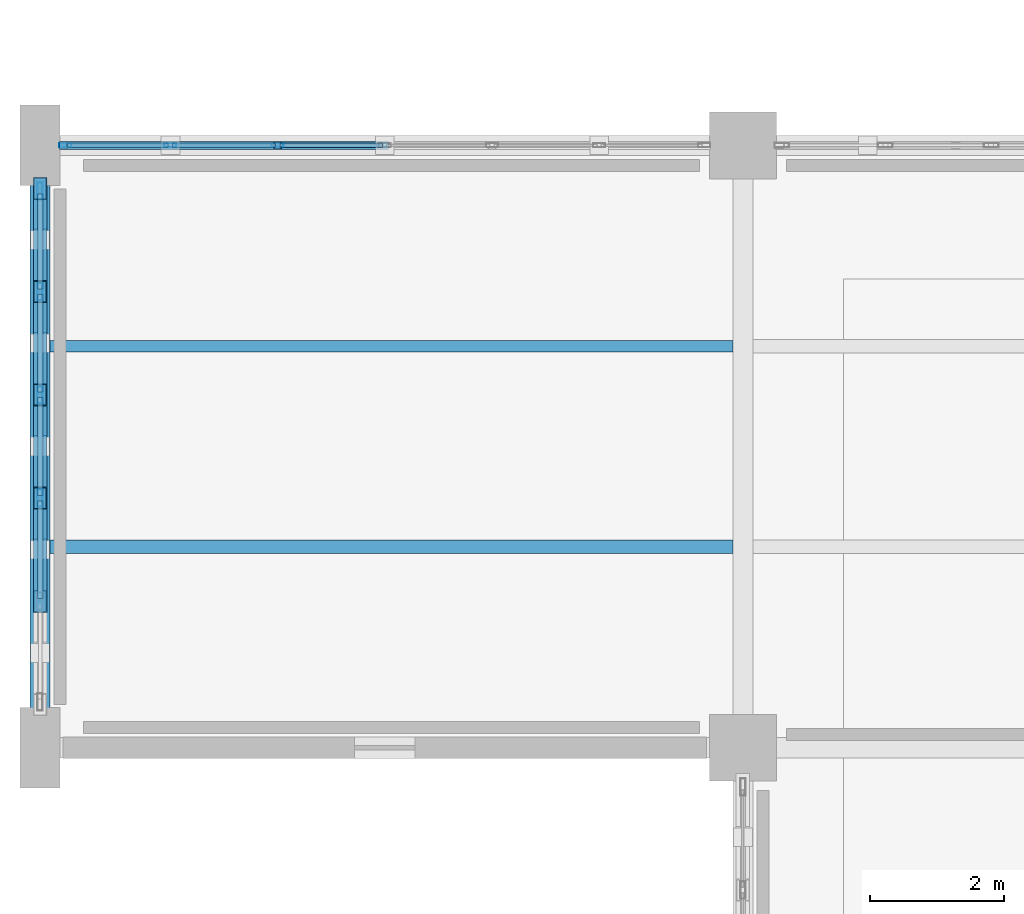
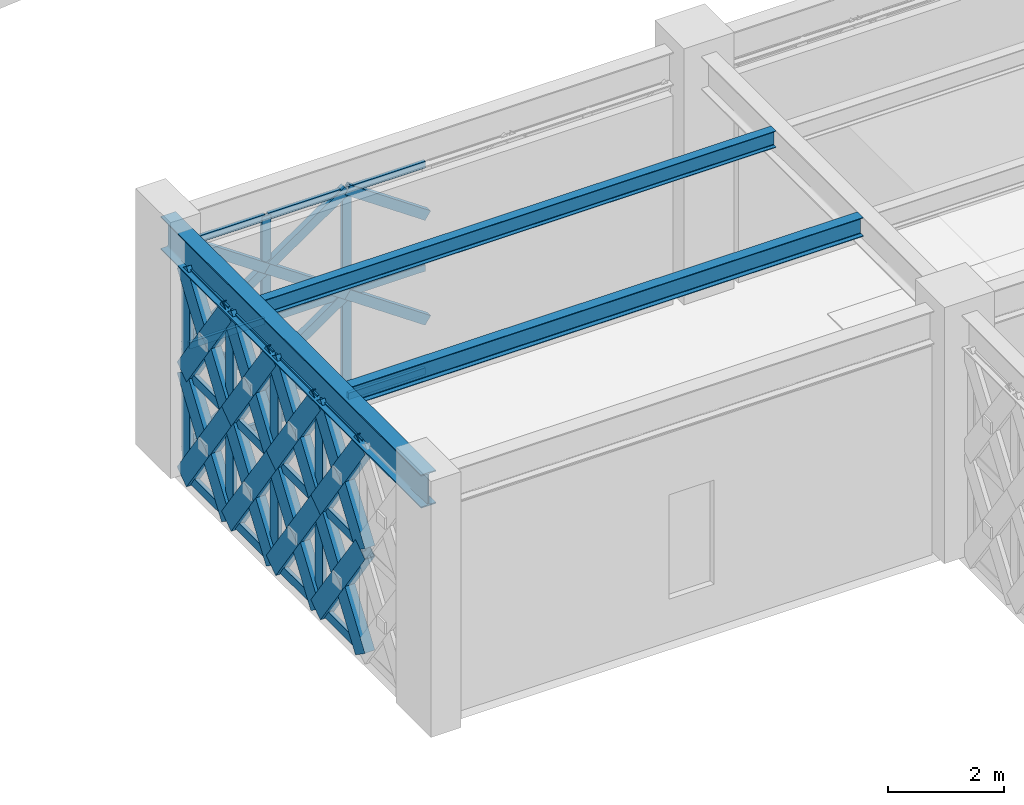
# One storey, part 12 of 140: 60 members, 3 beams, 2 elements without a shape of their own.
"""IFC4 building model written with IfcOpenShell, lengths in metres."""

from ifc_helpers import new_model, si_unit, direction, frame, origin, origin_2d, place, context, subcontext, project, spatial, hollow_rectangle, i_section, extrude, material, material_profile, profile_set, type_object, element, aggregate, save


model = new_model("IFC4")

# Units and contexts
model_context = context("Model", 3, precision=1e-05, world=origin(), true_north=direction((0.0, 1.0)))
body_context = subcontext(model_context, "Body", "Model", "MODEL_VIEW")
ifc_project = project(units=[si_unit("LENGTHUNIT", "METRE"), si_unit("AREAUNIT", "SQUARE_METRE"), si_unit("VOLUMEUNIT", "CUBIC_METRE"), si_unit("PLANEANGLEUNIT", "RADIAN"), si_unit("MASSUNIT", "GRAM", prefix="KILO")], contexts=[model_context])

# Site, building, storey
site_placement = place(None, origin())
site = spatial("IfcSite", under=ifc_project, at=site_placement, CompositionType="ELEMENT")
building_placement = place(site_placement, origin())
building = spatial("IfcBuilding", under=site, at=building_placement, Name="Haizhuo Lancet Aquarium", CompositionType="ELEMENT")
storey_placement = place(building_placement, origin())
storey = spatial("IfcBuildingStorey", under=building, at=storey_placement, Name="L00", CompositionType="ELEMENT", Elevation=0.0)

# Beam
ifc_material_1 = material(Name="Steel S355", Category="steel")
ifc_material_profile_1 = material_profile(ifc_material_1, i_section(OverallWidth=0.300048828125, OverallDepth=0.699951171875, WebThickness=0.012939453125, FlangeThickness=0.02392578125, FilletRadius=0.02587890625, at=origin_2d()), Name="HN 700x300x13x24")
ifc_profile_set_1 = profile_set([ifc_material_profile_1], Name="Steel S355")
beam_type_1 = type_object("IfcBeamType", Name="BM-ST-HN700", PredefinedType="BEAM", material=ifc_profile_set_1)
beam_1_placement = place(storey_placement, frame((-82.5, -18.0, 4.77001953125), z_axis=(0.0, 1.0, 0.0), x_axis=(-1.0, 0.0, 0.0)))
element("IfcBeam", 1, at=beam_1_placement, inside=storey, type_object=beam_type_1, Name="L00 V6 primary girder BM-L00-V6-001", PredefinedType="BEAM", context=body_context, shape_type="SweptSolid", body=[
    extrude(i_section(OverallWidth=0.300048828125, OverallDepth=0.699951171875, WebThickness=0.012939453125, FlangeThickness=0.02392578125, FilletRadius=0.02587890625, at=origin_2d()), origin(), (0.0, 0.0, 1.0), 9.0),
])

# Curtain wall, members
ifc_material_2 = material(Name="Aluminium 6063-T6", Category="aluminium")
curtain_wall_type_1 = type_object("IfcCurtainWallType", Name="CWO-9610x4420", PredefinedType="NOTDEFINED", material=ifc_material_2)
curtain_wall_1_placement = place(storey_placement, origin())
curtain_wall_1 = element("IfcCurtainWall", 2, at=curtain_wall_1_placement, inside=storey, type_object=curtain_wall_type_1, Name="L00 curtain wall CW-V6-L00-193", PredefinedType="NOTDEFINED")
ifc_material_profile_2 = material_profile(ifc_material_2, hollow_rectangle(XDim=0.06494140625, YDim=0.179931640625, WallThickness=0.00390625, at=origin_2d()), Name="ALU-M 65x180x4")
ifc_profile_set_2 = profile_set([ifc_material_profile_2], Name="Aluminium 6063-T6")
member_type_1 = type_object("IfcMemberType", Name="CW-MUL-1", PredefinedType="MULLION", material=ifc_profile_set_2)
member_1_placement = place(storey_placement, frame((-82.123046875, -9.0, 0.0), z_axis=(0.0, 0.0, 1.0), x_axis=(0.0, 1.0, 0.0)))
member_1 = element("IfcMember", 3, at=member_1_placement, type_object=member_type_1, Name="CWO-96x44 mullion 1", PredefinedType="MULLION", context=body_context, shape_type="SweptSolid", body=[
    extrude(hollow_rectangle(XDim=0.06494140625, YDim=0.179931640625, WallThickness=0.00390625, at=origin_2d()), origin(), (0.0, 0.0, 1.0), 4.419921875),
])
member_2_placement = place(storey_placement, frame((-80.552978515625, -9.0, 0.0), z_axis=(0.0, 0.0, 1.0), x_axis=(0.0, 1.0, 0.0)))
member_2 = element("IfcMember", 4, at=member_2_placement, type_object=member_type_1, Name="CWO-96x44 mullion 2", PredefinedType="MULLION", context=body_context, shape_type="SweptSolid", body=[
    extrude(hollow_rectangle(XDim=0.06494140625, YDim=0.179931640625, WallThickness=0.00390625, at=origin_2d()), origin(), (0.0, 0.0, 1.0), 4.419921875),
])
member_3_placement = place(storey_placement, frame((-78.951904296875, -9.0, 0.0), z_axis=(0.0, 0.0, 1.0), x_axis=(0.0, 1.0, 0.0)))
member_3 = element("IfcMember", 5, at=member_3_placement, type_object=member_type_1, Name="CWO-96x44 mullion 3", PredefinedType="MULLION", context=body_context, shape_type="SweptSolid", body=[
    extrude(hollow_rectangle(XDim=0.06494140625, YDim=0.179931640625, WallThickness=0.00390625, at=origin_2d()), origin(), (0.0, 0.0, 1.0), 4.419921875),
])

curtain_wall_type_2 = type_object("IfcCurtainWallType", Name="CWD-7710x4420", PredefinedType="NOTDEFINED", material=ifc_material_2)
curtain_wall_2_placement = place(storey_placement, origin())
curtain_wall_2 = element("IfcCurtainWall", 6, at=curtain_wall_2_placement, inside=storey, type_object=curtain_wall_type_2, Name="L00 curtain wall CW-V6-L00-192", PredefinedType="NOTDEFINED")
ifc_material_profile_3 = material_profile(ifc_material_2, hollow_rectangle(XDim=0.080078125, YDim=0.260009765625, WallThickness=0.0048828125, at=origin_2d()), Name="ALU-M 80x260x5")
ifc_profile_set_3 = profile_set([ifc_material_profile_3], Name="Aluminium 6063-T6")
member_type_2 = type_object("IfcMemberType", Name="CW-MUL-3", PredefinedType="MULLION", material=ifc_profile_set_3)
member_4_placement = place(storey_placement, frame((-82.5, -14.27099609375, 0.0), z_axis=(0.0, 0.0, 1.0), x_axis=(-1.0, 0.0, 0.0)))
member_4 = element("IfcMember", 7, at=member_4_placement, type_object=member_type_2, Name="CWD-77x44 mullion 3", PredefinedType="MULLION", context=body_context, shape_type="SweptSolid", body=[
    extrude(hollow_rectangle(XDim=0.080078125, YDim=0.260009765625, WallThickness=0.0048828125, at=origin_2d()), origin(), (0.0, 0.0, 1.0), 4.419921875),
])
member_5_placement = place(storey_placement, frame((-82.5, -12.72900390625, 0.0), z_axis=(0.0, 0.0, 1.0), x_axis=(-1.0, 0.0, 0.0)))
member_5 = element("IfcMember", 8, at=member_5_placement, type_object=member_type_2, Name="CWD-77x44 mullion 4", PredefinedType="MULLION", context=body_context, shape_type="SweptSolid", body=[
    extrude(hollow_rectangle(XDim=0.080078125, YDim=0.260009765625, WallThickness=0.0048828125, at=origin_2d()), origin(), (0.0, 0.0, 1.0), 4.419921875),
])
member_6_placement = place(storey_placement, frame((-82.5, -11.18701171875, 0.0), z_axis=(0.0, 0.0, 1.0), x_axis=(-1.0, 0.0, 0.0)))
member_6 = element("IfcMember", 9, at=member_6_placement, type_object=member_type_2, Name="CWD-77x44 mullion 5", PredefinedType="MULLION", context=body_context, shape_type="SweptSolid", body=[
    extrude(hollow_rectangle(XDim=0.080078125, YDim=0.260009765625, WallThickness=0.0048828125, at=origin_2d()), origin(), (0.0, 0.0, 1.0), 4.419921875),
])
member_7_placement = place(storey_placement, frame((-82.5, -9.68505859375, 0.0), z_axis=(0.0, 0.0, 1.0), x_axis=(-1.0, 0.0, 0.0)))
member_7 = element("IfcMember", 10, at=member_7_placement, type_object=member_type_2, Name="CWD-77x44 mullion 6", PredefinedType="MULLION", context=body_context, shape_type="SweptSolid", body=[
    extrude(hollow_rectangle(XDim=0.080078125, YDim=0.260009765625, WallThickness=0.0048828125, at=origin_2d()), origin(), (0.0, 0.0, 1.0), 4.419921875),
])

# Member
ifc_material_profile_4 = material_profile(ifc_material_2, hollow_rectangle(XDim=0.06494140625, YDim=0.139892578125, WallThickness=0.00390625, at=origin_2d()), Name="ALU-T 65x140x4")
ifc_profile_set_4 = profile_set([ifc_material_profile_4], Name="Aluminium 6063-T6")
member_type_3 = type_object("IfcMemberType", Name="CW-TRN-1", PredefinedType="NOTDEFINED", material=ifc_profile_set_4)
member_8_placement = place(storey_placement, frame((-82.090087890625, -9.0, 0.032958984375), z_axis=(1.0, 0.0, 0.0), x_axis=(0.0, 1.0, 0.0)))
member_8 = element("IfcMember", 11, at=member_8_placement, type_object=member_type_3, Name="CWO-96x44 transom 1.1", ObjectType="TRANSOM", PredefinedType="USERDEFINED", context=body_context, shape_type="SweptSolid", body=[
    extrude(hollow_rectangle(XDim=0.06494140625, YDim=0.139892578125, WallThickness=0.00390625, at=origin_2d()), origin(), (0.0, 0.0, 1.0), 1.504150390625),
])

member_9_placement = place(storey_placement, frame((-82.090087890625, -9.0, 2.2099609375), z_axis=(1.0, 0.0, 0.0), x_axis=(0.0, 1.0, 0.0)))
member_9 = element("IfcMember", 12, at=member_9_placement, type_object=member_type_3, Name="CWO-96x44 transom 1.2", ObjectType="TRANSOM", PredefinedType="USERDEFINED", context=body_context, shape_type="SweptSolid", body=[
    extrude(hollow_rectangle(XDim=0.06494140625, YDim=0.139892578125, WallThickness=0.00390625, at=origin_2d()), origin(), (0.0, 0.0, 1.0), 1.504150390625),
])

member_10_placement = place(storey_placement, frame((-82.090087890625, -9.0, 4.387939453125), z_axis=(1.0, 0.0, 0.0), x_axis=(0.0, 1.0, 0.0)))
member_10 = element("IfcMember", 13, at=member_10_placement, type_object=member_type_3, Name="CWO-96x44 transom 1.3", ObjectType="TRANSOM", PredefinedType="USERDEFINED", context=body_context, shape_type="SweptSolid", body=[
    extrude(hollow_rectangle(XDim=0.06494140625, YDim=0.139892578125, WallThickness=0.00390625, at=origin_2d()), origin(), (0.0, 0.0, 1.0), 1.504150390625),
])

member_11_placement = place(storey_placement, frame((-80.52099609375, -9.0, 0.032958984375), z_axis=(1.0, 0.0, 0.0), x_axis=(0.0, 1.0, 0.0)))
member_11 = element("IfcMember", 14, at=member_11_placement, type_object=member_type_3, Name="CWO-96x44 transom 2.1", ObjectType="TRANSOM", PredefinedType="USERDEFINED", context=body_context, shape_type="SweptSolid", body=[
    extrude(hollow_rectangle(XDim=0.06494140625, YDim=0.139892578125, WallThickness=0.00390625, at=origin_2d()), origin(), (0.0, 0.0, 1.0), 1.537109375),
])

member_12_placement = place(storey_placement, frame((-80.52099609375, -9.0, 2.2099609375), z_axis=(1.0, 0.0, 0.0), x_axis=(0.0, 1.0, 0.0)))
member_12 = element("IfcMember", 15, at=member_12_placement, type_object=member_type_3, Name="CWO-96x44 transom 2.2", ObjectType="TRANSOM", PredefinedType="USERDEFINED", context=body_context, shape_type="SweptSolid", body=[
    extrude(hollow_rectangle(XDim=0.06494140625, YDim=0.139892578125, WallThickness=0.00390625, at=origin_2d()), origin(), (0.0, 0.0, 1.0), 1.537109375),
])

member_13_placement = place(storey_placement, frame((-80.52099609375, -9.0, 4.387939453125), z_axis=(1.0, 0.0, 0.0), x_axis=(0.0, 1.0, 0.0)))
member_13 = element("IfcMember", 16, at=member_13_placement, type_object=member_type_3, Name="CWO-96x44 transom 2.3", ObjectType="TRANSOM", PredefinedType="USERDEFINED", context=body_context, shape_type="SweptSolid", body=[
    extrude(hollow_rectangle(XDim=0.06494140625, YDim=0.139892578125, WallThickness=0.00390625, at=origin_2d()), origin(), (0.0, 0.0, 1.0), 1.537109375),
])

member_14_placement = place(storey_placement, frame((-78.9189453125, -9.0, 0.032958984375), z_axis=(1.0, 0.0, 0.0), x_axis=(0.0, 1.0, 0.0)))
member_14 = element("IfcMember", 17, at=member_14_placement, type_object=member_type_3, Name="CWO-96x44 transom 3.1", ObjectType="TRANSOM", PredefinedType="USERDEFINED", context=body_context, shape_type="SweptSolid", body=[
    extrude(hollow_rectangle(XDim=0.06494140625, YDim=0.139892578125, WallThickness=0.00390625, at=origin_2d()), origin(), (0.0, 0.0, 1.0), 1.535888671875),
])

member_15_placement = place(storey_placement, frame((-78.9189453125, -9.0, 2.2099609375), z_axis=(1.0, 0.0, 0.0), x_axis=(0.0, 1.0, 0.0)))
member_15 = element("IfcMember", 18, at=member_15_placement, type_object=member_type_3, Name="CWO-96x44 transom 3.2", ObjectType="TRANSOM", PredefinedType="USERDEFINED", context=body_context, shape_type="SweptSolid", body=[
    extrude(hollow_rectangle(XDim=0.06494140625, YDim=0.139892578125, WallThickness=0.00390625, at=origin_2d()), origin(), (0.0, 0.0, 1.0), 1.535888671875),
])

member_16_placement = place(storey_placement, frame((-78.9189453125, -9.0, 4.387939453125), z_axis=(1.0, 0.0, 0.0), x_axis=(0.0, 1.0, 0.0)))
member_16 = element("IfcMember", 19, at=member_16_placement, type_object=member_type_3, Name="CWO-96x44 transom 3.3", ObjectType="TRANSOM", PredefinedType="USERDEFINED", context=body_context, shape_type="SweptSolid", body=[
    extrude(hollow_rectangle(XDim=0.06494140625, YDim=0.139892578125, WallThickness=0.00390625, at=origin_2d()), origin(), (0.0, 0.0, 1.0), 1.535888671875),
])

aggregate(curtain_wall_1, [member_1, member_2, member_3, member_8, member_9, member_10, member_11, member_12, member_13, member_14, member_15, member_16])

ifc_material_profile_5 = material_profile(ifc_material_2, hollow_rectangle(XDim=0.080078125, YDim=0.18994140625, WallThickness=0.0048828125, at=origin_2d()), Name="ALU-T 80x190x5")
ifc_profile_set_5 = profile_set([ifc_material_profile_5], Name="Aluminium 6063-T6")
member_type_4 = type_object("IfcMemberType", Name="CW-TRN-3", PredefinedType="NOTDEFINED", material=ifc_profile_set_5)
member_17_placement = place(storey_placement, frame((-82.5, -15.77294921875, 0.0400390625), z_axis=(0.0, 1.0, 0.0), x_axis=(-1.0, 0.0, 0.0)))
member_17 = element("IfcMember", 20, at=member_17_placement, type_object=member_type_4, Name="CWD-77x44 transom 2.1", ObjectType="TRANSOM", PredefinedType="USERDEFINED", context=body_context, shape_type="SweptSolid", body=[
    extrude(hollow_rectangle(XDim=0.080078125, YDim=0.18994140625, WallThickness=0.0048828125, at=origin_2d()), origin(), (0.0, 0.0, 1.0), 1.4619140625),
])

member_18_placement = place(storey_placement, frame((-82.5, -15.77294921875, 2.2099609375), z_axis=(0.0, 1.0, 0.0), x_axis=(-1.0, 0.0, 0.0)))
member_18 = element("IfcMember", 21, at=member_18_placement, type_object=member_type_4, Name="CWD-77x44 transom 2.2", ObjectType="TRANSOM", PredefinedType="USERDEFINED", context=body_context, shape_type="SweptSolid", body=[
    extrude(hollow_rectangle(XDim=0.080078125, YDim=0.18994140625, WallThickness=0.0048828125, at=origin_2d()), origin(), (0.0, 0.0, 1.0), 1.4619140625),
])

member_19_placement = place(storey_placement, frame((-82.5, -15.77294921875, 4.3798828125), z_axis=(0.0, 1.0, 0.0), x_axis=(-1.0, 0.0, 0.0)))
member_19 = element("IfcMember", 22, at=member_19_placement, type_object=member_type_4, Name="CWD-77x44 transom 2.3", ObjectType="TRANSOM", PredefinedType="USERDEFINED", context=body_context, shape_type="SweptSolid", body=[
    extrude(hollow_rectangle(XDim=0.080078125, YDim=0.18994140625, WallThickness=0.0048828125, at=origin_2d()), origin(), (0.0, 0.0, 1.0), 1.4619140625),
])

member_20_placement = place(storey_placement, frame((-82.5, -14.23095703125, 0.0400390625), z_axis=(0.0, 1.0, 0.0), x_axis=(-1.0, 0.0, 0.0)))
member_20 = element("IfcMember", 23, at=member_20_placement, type_object=member_type_4, Name="CWD-77x44 transom 3.1", ObjectType="TRANSOM", PredefinedType="USERDEFINED", context=body_context, shape_type="SweptSolid", body=[
    extrude(hollow_rectangle(XDim=0.080078125, YDim=0.18994140625, WallThickness=0.0048828125, at=origin_2d()), origin(), (0.0, 0.0, 1.0), 1.4619140625),
])

member_21_placement = place(storey_placement, frame((-82.5, -14.23095703125, 2.2099609375), z_axis=(0.0, 1.0, 0.0), x_axis=(-1.0, 0.0, 0.0)))
member_21 = element("IfcMember", 24, at=member_21_placement, type_object=member_type_4, Name="CWD-77x44 transom 3.2", ObjectType="TRANSOM", PredefinedType="USERDEFINED", context=body_context, shape_type="SweptSolid", body=[
    extrude(hollow_rectangle(XDim=0.080078125, YDim=0.18994140625, WallThickness=0.0048828125, at=origin_2d()), origin(), (0.0, 0.0, 1.0), 1.4619140625),
])

member_22_placement = place(storey_placement, frame((-82.5, -14.23095703125, 4.3798828125), z_axis=(0.0, 1.0, 0.0), x_axis=(-1.0, 0.0, 0.0)))
member_22 = element("IfcMember", 25, at=member_22_placement, type_object=member_type_4, Name="CWD-77x44 transom 3.3", ObjectType="TRANSOM", PredefinedType="USERDEFINED", context=body_context, shape_type="SweptSolid", body=[
    extrude(hollow_rectangle(XDim=0.080078125, YDim=0.18994140625, WallThickness=0.0048828125, at=origin_2d()), origin(), (0.0, 0.0, 1.0), 1.4619140625),
])

member_23_placement = place(storey_placement, frame((-82.5, -12.68896484375, 0.0400390625), z_axis=(0.0, 1.0, 0.0), x_axis=(-1.0, 0.0, 0.0)))
member_23 = element("IfcMember", 26, at=member_23_placement, type_object=member_type_4, Name="CWD-77x44 transom 4.1", ObjectType="TRANSOM", PredefinedType="USERDEFINED", context=body_context, shape_type="SweptSolid", body=[
    extrude(hollow_rectangle(XDim=0.080078125, YDim=0.18994140625, WallThickness=0.0048828125, at=origin_2d()), origin(), (0.0, 0.0, 1.0), 1.4619140625),
])

member_24_placement = place(storey_placement, frame((-82.5, -12.68896484375, 2.2099609375), z_axis=(0.0, 1.0, 0.0), x_axis=(-1.0, 0.0, 0.0)))
member_24 = element("IfcMember", 27, at=member_24_placement, type_object=member_type_4, Name="CWD-77x44 transom 4.2", ObjectType="TRANSOM", PredefinedType="USERDEFINED", context=body_context, shape_type="SweptSolid", body=[
    extrude(hollow_rectangle(XDim=0.080078125, YDim=0.18994140625, WallThickness=0.0048828125, at=origin_2d()), origin(), (0.0, 0.0, 1.0), 1.4619140625),
])

member_25_placement = place(storey_placement, frame((-82.5, -12.68896484375, 4.3798828125), z_axis=(0.0, 1.0, 0.0), x_axis=(-1.0, 0.0, 0.0)))
member_25 = element("IfcMember", 28, at=member_25_placement, type_object=member_type_4, Name="CWD-77x44 transom 4.3", ObjectType="TRANSOM", PredefinedType="USERDEFINED", context=body_context, shape_type="SweptSolid", body=[
    extrude(hollow_rectangle(XDim=0.080078125, YDim=0.18994140625, WallThickness=0.0048828125, at=origin_2d()), origin(), (0.0, 0.0, 1.0), 1.4619140625),
])

member_26_placement = place(storey_placement, frame((-82.5, -11.14697265625, 0.0400390625), z_axis=(0.0, 1.0, 0.0), x_axis=(-1.0, 0.0, 0.0)))
member_26 = element("IfcMember", 29, at=member_26_placement, type_object=member_type_4, Name="CWD-77x44 transom 5.1", ObjectType="TRANSOM", PredefinedType="USERDEFINED", context=body_context, shape_type="SweptSolid", body=[
    extrude(hollow_rectangle(XDim=0.080078125, YDim=0.18994140625, WallThickness=0.0048828125, at=origin_2d()), origin(), (0.0, 0.0, 1.0), 1.421875),
])

member_27_placement = place(storey_placement, frame((-82.5, -11.14697265625, 2.2099609375), z_axis=(0.0, 1.0, 0.0), x_axis=(-1.0, 0.0, 0.0)))
member_27 = element("IfcMember", 30, at=member_27_placement, type_object=member_type_4, Name="CWD-77x44 transom 5.2", ObjectType="TRANSOM", PredefinedType="USERDEFINED", context=body_context, shape_type="SweptSolid", body=[
    extrude(hollow_rectangle(XDim=0.080078125, YDim=0.18994140625, WallThickness=0.0048828125, at=origin_2d()), origin(), (0.0, 0.0, 1.0), 1.421875),
])

member_28_placement = place(storey_placement, frame((-82.5, -11.14697265625, 4.3798828125), z_axis=(0.0, 1.0, 0.0), x_axis=(-1.0, 0.0, 0.0)))
member_28 = element("IfcMember", 31, at=member_28_placement, type_object=member_type_4, Name="CWD-77x44 transom 5.3", ObjectType="TRANSOM", PredefinedType="USERDEFINED", context=body_context, shape_type="SweptSolid", body=[
    extrude(hollow_rectangle(XDim=0.080078125, YDim=0.18994140625, WallThickness=0.0048828125, at=origin_2d()), origin(), (0.0, 0.0, 1.0), 1.421875),
])

aggregate(curtain_wall_2, [member_4, member_5, member_6, member_7, member_17, member_18, member_19, member_20, member_21, member_22, member_23, member_24, member_25, member_26, member_27, member_28])

# Beams
ifc_material_profile_6 = material_profile(ifc_material_1, i_section(OverallWidth=0.175048828125, OverallDepth=0.35009765625, WebThickness=0.007080078125, FlangeThickness=0.010986328125, FilletRadius=0.013916015625, at=origin_2d()), Name="HN 350x175x7x11")
ifc_profile_set_6 = profile_set([ifc_material_profile_6], Name="Steel S355")
beam_type_2 = type_object("IfcBeamType", Name="JST-ST-HN350", PredefinedType="JOIST", material=ifc_profile_set_6)
beam_2_placement = place(storey_placement, frame((-82.35009765625, -12.0, 4.945068359375), z_axis=(1.0, 0.0, 0.0), x_axis=(0.0, 1.0, 0.0)))
element("IfcBeam", 32, at=beam_2_placement, inside=storey, type_object=beam_type_2, Name="L00 V6 secondary floor joist 2", PredefinedType="JOIST", context=body_context, shape_type="SweptSolid", body=[
    extrude(i_section(OverallWidth=0.175048828125, OverallDepth=0.35009765625, WebThickness=0.007080078125, FlangeThickness=0.010986328125, FilletRadius=0.013916015625, at=origin_2d()), origin(), (0.0, 0.0, 1.0), 10.2001953125),
])
ifc_material_profile_7 = material_profile(ifc_material_1, i_section(OverallWidth=0.199951171875, OverallDepth=0.39990234375, WebThickness=0.008056640625, FlangeThickness=0.012939453125, FilletRadius=0.01611328125, at=origin_2d()), Name="HN 400x200x8x13")
ifc_profile_set_7 = profile_set([ifc_material_profile_7], Name="Steel S355")
beam_type_3 = type_object("IfcBeamType", Name="JST-ST-HN400", PredefinedType="JOIST", material=ifc_profile_set_7)
beam_3_placement = place(storey_placement, frame((-82.35009765625, -15.0, 4.919921875), z_axis=(1.0, 0.0, 0.0), x_axis=(0.0, 1.0, 0.0)))
element("IfcBeam", 33, at=beam_3_placement, inside=storey, type_object=beam_type_3, Name="L00 V6 secondary floor joist 1", PredefinedType="JOIST", context=body_context, shape_type="SweptSolid", body=[
    extrude(i_section(OverallWidth=0.199951171875, OverallDepth=0.39990234375, WebThickness=0.008056640625, FlangeThickness=0.012939453125, FilletRadius=0.01611328125, at=origin_2d()), origin(), (0.0, 0.0, 1.0), 10.2001953125),
])

# Members
ifc_material_profile_8 = material_profile(ifc_material_1, hollow_rectangle(XDim=0.1201171875, YDim=0.199951171875, WallThickness=0.008056640625, at=origin_2d()), Name="RHS 120x200x8")
ifc_profile_set_8 = profile_set([ifc_material_profile_8], Name="Steel S355")
member_type_5 = type_object("IfcMemberType", Name="MEM-LB-RHS120x200", PredefinedType="BRACE", material=ifc_profile_set_8)
member_29_placement = place(storey_placement, frame((-82.155029296875, -9.0, 0.0), z_axis=(0.823103575721, 0.0, 0.567891278005), x_axis=(0.0, 1.0, 0.0)))
element("IfcMember", 34, at=member_29_placement, inside=storey, type_object=member_type_5, Name="Gothic lancet continuous diagonal brace CW-V6-L00-193 1A", PredefinedType="BRACE", context=body_context, shape_type="SweptSolid", body=[
    extrude(hollow_rectangle(XDim=0.1201171875, YDim=0.199951171875, WallThickness=0.008056640625, at=origin_2d()), origin(), (0.0, 0.0, 1.0), 3.8916015625),
])
member_30_placement = place(storey_placement, frame((-78.951904296875, -9.0, 0.0), z_axis=(-0.823022620361, 0.0, 0.568008597096), x_axis=(0.0, -1.0, 0.0)))
element("IfcMember", 35, at=member_30_placement, inside=storey, type_object=member_type_5, Name="Gothic lancet split diagonal brace CW-V6-L00-193 1B1", PredefinedType="BRACE", context=body_context, shape_type="SweptSolid", body=[
    extrude(hollow_rectangle(XDim=0.1201171875, YDim=0.199951171875, WallThickness=0.008056640625, at=origin_2d()), origin(), (0.0, 0.0, 1.0), 1.9453125),
])
member_31_placement = place(storey_placement, frame((-80.552978515625, -9.0, 1.10498046875), z_axis=(-0.823184480933, 0.0, 0.56777399584), x_axis=(0.0, -1.0, 0.0)))
element("IfcMember", 36, at=member_31_placement, inside=storey, type_object=member_type_5, Name="Gothic lancet split diagonal brace CW-V6-L00-193 1B2", PredefinedType="BRACE", context=body_context, shape_type="SweptSolid", body=[
    extrude(hollow_rectangle(XDim=0.1201171875, YDim=0.199951171875, WallThickness=0.008056640625, at=origin_2d()), origin(), (0.0, 0.0, 1.0), 1.946044921875),
])
member_32_placement = place(storey_placement, frame((-82.155029296875, -9.0, 2.2099609375), z_axis=(0.823103575721, 0.0, 0.567891278005), x_axis=(0.0, 1.0, 0.0)))
element("IfcMember", 37, at=member_32_placement, inside=storey, type_object=member_type_5, Name="Gothic lancet continuous diagonal brace CW-V6-L00-193 2A", PredefinedType="BRACE", context=body_context, shape_type="SweptSolid", body=[
    extrude(hollow_rectangle(XDim=0.1201171875, YDim=0.199951171875, WallThickness=0.008056640625, at=origin_2d()), origin(), (0.0, 0.0, 1.0), 3.8916015625),
])
member_33_placement = place(storey_placement, frame((-78.951904296875, -9.0, 2.2099609375), z_axis=(-0.823022620361, 0.0, 0.568008597096), x_axis=(0.0, -1.0, 0.0)))
element("IfcMember", 38, at=member_33_placement, inside=storey, type_object=member_type_5, Name="Gothic lancet split diagonal brace CW-V6-L00-193 2B1", PredefinedType="BRACE", context=body_context, shape_type="SweptSolid", body=[
    extrude(hollow_rectangle(XDim=0.1201171875, YDim=0.199951171875, WallThickness=0.008056640625, at=origin_2d()), origin(), (0.0, 0.0, 1.0), 1.9453125),
])
for number, where, z_axis, x_axis, name in (
    (39, (-80.552978515625, -9.0, 3.31494140625), (-0.823184480933, 0.0, 0.56777399584), (0.0, -1.0, 0.0), "Gothic lancet split diagonal brace CW-V6-L00-193 2B2"),
    (40, (-77.35009765625, -9.0, 1.10498046875), (-0.823144034593, 0.0, 0.567832632308), (0.0, -1.0, 0.0), "Gothic lancet split diagonal brace CW-V6-L00-193 3B2"),
    (41, (-77.35009765625, -9.0, 3.31494140625), (-0.823144034593, 0.0, 0.567832632308), (0.0, -1.0, 0.0), "Gothic lancet split diagonal brace CW-V6-L00-193 4B2"),
):
    element("IfcMember", number, at=place(storey_placement, frame(where, z_axis=z_axis, x_axis=x_axis)), inside=storey, type_object=member_type_5, Name=name, PredefinedType="BRACE", context=body_context, shape_type="SweptSolid", body=[
        extrude(hollow_rectangle(XDim=0.1201171875, YDim=0.199951171875, WallThickness=0.008056640625, at=origin_2d()), origin(), (0.0, 0.0, 1.0), 1.946044921875),
    ])
ifc_material_profile_9 = material_profile(ifc_material_1, hollow_rectangle(XDim=0.199951171875, YDim=0.39990234375, WallThickness=0.011962890625, at=origin_2d()), Name="RHS 200x400x12")
ifc_profile_set_9 = profile_set([ifc_material_profile_9], Name="Steel S355")
member_type_6 = type_object("IfcMemberType", Name="MEM-LB-RHS200x400", PredefinedType="BRACE", material=ifc_profile_set_9)
member_34_placement = place(storey_placement, frame((-82.5, -15.81298828125, 0.0), z_axis=(0.0, 0.572221275534, 0.820099269495), x_axis=(-1.0, 0.0, 0.0)))
element("IfcMember", 42, at=member_34_placement, inside=storey, type_object=member_type_6, Name="Gothic lancet continuous diagonal brace CW-V6-L00-192 3A", PredefinedType="BRACE", context=body_context, shape_type="SweptSolid", body=[
    extrude(hollow_rectangle(XDim=0.199951171875, YDim=0.39990234375, WallThickness=0.011962890625, at=origin_2d()), origin(), (0.0, 0.0, 1.0), 2.69482421875),
])
for number, where, z_axis, x_axis, name in (
    (43, (-82.5, -14.27099609375, 0.0), (0.0, -0.572221275534, 0.820099269495), (1.0, 0.0, 0.0), "Gothic lancet split diagonal brace CW-V6-L00-192 3B1"),
    (44, (-82.5, -15.0419921875, 1.10498046875), (0.0, -0.572221275534, 0.820099269495), (1.0, 0.0, 0.0), "Gothic lancet split diagonal brace CW-V6-L00-192 3B2"),
):
    element("IfcMember", number, at=place(storey_placement, frame(where, z_axis=z_axis, x_axis=x_axis)), inside=storey, type_object=member_type_6, Name=name, PredefinedType="BRACE", context=body_context, shape_type="SweptSolid", body=[
        extrude(hollow_rectangle(XDim=0.199951171875, YDim=0.39990234375, WallThickness=0.011962890625, at=origin_2d()), origin(), (0.0, 0.0, 1.0), 1.347412109375),
    ])
member_35_placement = place(storey_placement, frame((-82.5, -15.81298828125, 2.2099609375), z_axis=(0.0, 0.572221275534, 0.820099269495), x_axis=(-1.0, 0.0, 0.0)))
element("IfcMember", 45, at=member_35_placement, inside=storey, type_object=member_type_6, Name="Gothic lancet continuous diagonal brace CW-V6-L00-192 4A", PredefinedType="BRACE", context=body_context, shape_type="SweptSolid", body=[
    extrude(hollow_rectangle(XDim=0.199951171875, YDim=0.39990234375, WallThickness=0.011962890625, at=origin_2d()), origin(), (0.0, 0.0, 1.0), 2.69482421875),
])
for number, where, z_axis, x_axis, name in (
    (46, (-82.5, -14.27099609375, 2.2099609375), (0.0, -0.572221275534, 0.820099269495), (1.0, 0.0, 0.0), "Gothic lancet split diagonal brace CW-V6-L00-192 4B1"),
    (47, (-82.5, -15.0419921875, 3.31494140625), (0.0, -0.572221275534, 0.820099269495), (1.0, 0.0, 0.0), "Gothic lancet split diagonal brace CW-V6-L00-192 4B2"),
):
    element("IfcMember", number, at=place(storey_placement, frame(where, z_axis=z_axis, x_axis=x_axis)), inside=storey, type_object=member_type_6, Name=name, PredefinedType="BRACE", context=body_context, shape_type="SweptSolid", body=[
        extrude(hollow_rectangle(XDim=0.199951171875, YDim=0.39990234375, WallThickness=0.011962890625, at=origin_2d()), origin(), (0.0, 0.0, 1.0), 1.347412109375),
    ])
member_36_placement = place(storey_placement, frame((-82.5, -14.27099609375, 0.0), z_axis=(0.0, 0.572221275534, 0.820099269495), x_axis=(-1.0, 0.0, 0.0)))
element("IfcMember", 48, at=member_36_placement, inside=storey, type_object=member_type_6, Name="Gothic lancet continuous diagonal brace CW-V6-L00-192 5A", PredefinedType="BRACE", context=body_context, shape_type="SweptSolid", body=[
    extrude(hollow_rectangle(XDim=0.199951171875, YDim=0.39990234375, WallThickness=0.011962890625, at=origin_2d()), origin(), (0.0, 0.0, 1.0), 2.69482421875),
])
for number, where, z_axis, x_axis, name in (
    (49, (-82.5, -12.72900390625, 0.0), (0.0, -0.572221275534, 0.820099269495), (1.0, 0.0, 0.0), "Gothic lancet split diagonal brace CW-V6-L00-192 5B1"),
    (50, (-82.5, -13.5, 1.10498046875), (0.0, -0.572221275534, 0.820099269495), (1.0, 0.0, 0.0), "Gothic lancet split diagonal brace CW-V6-L00-192 5B2"),
):
    element("IfcMember", number, at=place(storey_placement, frame(where, z_axis=z_axis, x_axis=x_axis)), inside=storey, type_object=member_type_6, Name=name, PredefinedType="BRACE", context=body_context, shape_type="SweptSolid", body=[
        extrude(hollow_rectangle(XDim=0.199951171875, YDim=0.39990234375, WallThickness=0.011962890625, at=origin_2d()), origin(), (0.0, 0.0, 1.0), 1.347412109375),
    ])
member_37_placement = place(storey_placement, frame((-82.5, -14.27099609375, 2.2099609375), z_axis=(0.0, 0.572221275534, 0.820099269495), x_axis=(-1.0, 0.0, 0.0)))
element("IfcMember", 51, at=member_37_placement, inside=storey, type_object=member_type_6, Name="Gothic lancet continuous diagonal brace CW-V6-L00-192 6A", PredefinedType="BRACE", context=body_context, shape_type="SweptSolid", body=[
    extrude(hollow_rectangle(XDim=0.199951171875, YDim=0.39990234375, WallThickness=0.011962890625, at=origin_2d()), origin(), (0.0, 0.0, 1.0), 2.69482421875),
])
for number, where, z_axis, x_axis, name in (
    (52, (-82.5, -12.72900390625, 2.2099609375), (0.0, -0.572221275534, 0.820099269495), (1.0, 0.0, 0.0), "Gothic lancet split diagonal brace CW-V6-L00-192 6B1"),
    (53, (-82.5, -13.5, 3.31494140625), (0.0, -0.572221275534, 0.820099269495), (1.0, 0.0, 0.0), "Gothic lancet split diagonal brace CW-V6-L00-192 6B2"),
):
    element("IfcMember", number, at=place(storey_placement, frame(where, z_axis=z_axis, x_axis=x_axis)), inside=storey, type_object=member_type_6, Name=name, PredefinedType="BRACE", context=body_context, shape_type="SweptSolid", body=[
        extrude(hollow_rectangle(XDim=0.199951171875, YDim=0.39990234375, WallThickness=0.011962890625, at=origin_2d()), origin(), (0.0, 0.0, 1.0), 1.347412109375),
    ])
member_38_placement = place(storey_placement, frame((-82.5, -12.72900390625, 0.0), z_axis=(0.0, 0.572221275534, 0.820099269495), x_axis=(-1.0, 0.0, 0.0)))
element("IfcMember", 54, at=member_38_placement, inside=storey, type_object=member_type_6, Name="Gothic lancet continuous diagonal brace CW-V6-L00-192 7A", PredefinedType="BRACE", context=body_context, shape_type="SweptSolid", body=[
    extrude(hollow_rectangle(XDim=0.199951171875, YDim=0.39990234375, WallThickness=0.011962890625, at=origin_2d()), origin(), (0.0, 0.0, 1.0), 2.69482421875),
])
for number, where, z_axis, x_axis, name in (
    (55, (-82.5, -11.18701171875, 0.0), (0.0, -0.572221275534, 0.820099269495), (1.0, 0.0, 0.0), "Gothic lancet split diagonal brace CW-V6-L00-192 7B1"),
    (56, (-82.5, -11.9580078125, 1.10498046875), (0.0, -0.572221275534, 0.820099269495), (1.0, 0.0, 0.0), "Gothic lancet split diagonal brace CW-V6-L00-192 7B2"),
):
    element("IfcMember", number, at=place(storey_placement, frame(where, z_axis=z_axis, x_axis=x_axis)), inside=storey, type_object=member_type_6, Name=name, PredefinedType="BRACE", context=body_context, shape_type="SweptSolid", body=[
        extrude(hollow_rectangle(XDim=0.199951171875, YDim=0.39990234375, WallThickness=0.011962890625, at=origin_2d()), origin(), (0.0, 0.0, 1.0), 1.347412109375),
    ])
member_39_placement = place(storey_placement, frame((-82.5, -12.72900390625, 2.2099609375), z_axis=(0.0, 0.572221275534, 0.820099269495), x_axis=(-1.0, 0.0, 0.0)))
element("IfcMember", 57, at=member_39_placement, inside=storey, type_object=member_type_6, Name="Gothic lancet continuous diagonal brace CW-V6-L00-192 8A", PredefinedType="BRACE", context=body_context, shape_type="SweptSolid", body=[
    extrude(hollow_rectangle(XDim=0.199951171875, YDim=0.39990234375, WallThickness=0.011962890625, at=origin_2d()), origin(), (0.0, 0.0, 1.0), 2.69482421875),
])
for number, where, z_axis, x_axis, name in (
    (58, (-82.5, -11.18701171875, 2.2099609375), (0.0, -0.572221275534, 0.820099269495), (1.0, 0.0, 0.0), "Gothic lancet split diagonal brace CW-V6-L00-192 8B1"),
    (59, (-82.5, -11.9580078125, 3.31494140625), (0.0, -0.572221275534, 0.820099269495), (1.0, 0.0, 0.0), "Gothic lancet split diagonal brace CW-V6-L00-192 8B2"),
):
    element("IfcMember", number, at=place(storey_placement, frame(where, z_axis=z_axis, x_axis=x_axis)), inside=storey, type_object=member_type_6, Name=name, PredefinedType="BRACE", context=body_context, shape_type="SweptSolid", body=[
        extrude(hollow_rectangle(XDim=0.199951171875, YDim=0.39990234375, WallThickness=0.011962890625, at=origin_2d()), origin(), (0.0, 0.0, 1.0), 1.347412109375),
    ])
member_40_placement = place(storey_placement, frame((-82.5, -11.18701171875, 0.0), z_axis=(0.0, 0.572221275534, 0.820099269495), x_axis=(-1.0, 0.0, 0.0)))
element("IfcMember", 60, at=member_40_placement, inside=storey, type_object=member_type_6, Name="Gothic lancet continuous diagonal brace CW-V6-L00-192 9A", PredefinedType="BRACE", context=body_context, shape_type="SweptSolid", body=[
    extrude(hollow_rectangle(XDim=0.199951171875, YDim=0.39990234375, WallThickness=0.011962890625, at=origin_2d()), origin(), (0.0, 0.0, 1.0), 2.69482421875),
])
for number, where, z_axis, x_axis, name in (
    (61, (-82.5, -9.64501953125, 0.0), (0.0, -0.572221275534, 0.820099269495), (1.0, 0.0, 0.0), "Gothic lancet split diagonal brace CW-V6-L00-192 9B1"),
    (62, (-82.5, -10.416015625, 1.10498046875), (0.0, -0.572221275534, 0.820099269495), (1.0, 0.0, 0.0), "Gothic lancet split diagonal brace CW-V6-L00-192 9B2"),
):
    element("IfcMember", number, at=place(storey_placement, frame(where, z_axis=z_axis, x_axis=x_axis)), inside=storey, type_object=member_type_6, Name=name, PredefinedType="BRACE", context=body_context, shape_type="SweptSolid", body=[
        extrude(hollow_rectangle(XDim=0.199951171875, YDim=0.39990234375, WallThickness=0.011962890625, at=origin_2d()), origin(), (0.0, 0.0, 1.0), 1.347412109375),
    ])
member_41_placement = place(storey_placement, frame((-82.5, -11.18701171875, 2.2099609375), z_axis=(0.0, 0.572221275534, 0.820099269495), x_axis=(-1.0, 0.0, 0.0)))
element("IfcMember", 63, at=member_41_placement, inside=storey, type_object=member_type_6, Name="Gothic lancet continuous diagonal brace CW-V6-L00-192 10A", PredefinedType="BRACE", context=body_context, shape_type="SweptSolid", body=[
    extrude(hollow_rectangle(XDim=0.199951171875, YDim=0.39990234375, WallThickness=0.011962890625, at=origin_2d()), origin(), (0.0, 0.0, 1.0), 2.69482421875),
])
for number, where, z_axis, x_axis, name in (
    (64, (-82.5, -9.64501953125, 2.2099609375), (0.0, -0.572221275534, 0.820099269495), (1.0, 0.0, 0.0), "Gothic lancet split diagonal brace CW-V6-L00-192 10B1"),
    (65, (-82.5, -10.416015625, 3.31494140625), (0.0, -0.572221275534, 0.820099269495), (1.0, 0.0, 0.0), "Gothic lancet split diagonal brace CW-V6-L00-192 10B2"),
):
    element("IfcMember", number, at=place(storey_placement, frame(where, z_axis=z_axis, x_axis=x_axis)), inside=storey, type_object=member_type_6, Name=name, PredefinedType="BRACE", context=body_context, shape_type="SweptSolid", body=[
        extrude(hollow_rectangle(XDim=0.199951171875, YDim=0.39990234375, WallThickness=0.011962890625, at=origin_2d()), origin(), (0.0, 0.0, 1.0), 1.347412109375),
    ])

save(model, "model.ifc")
